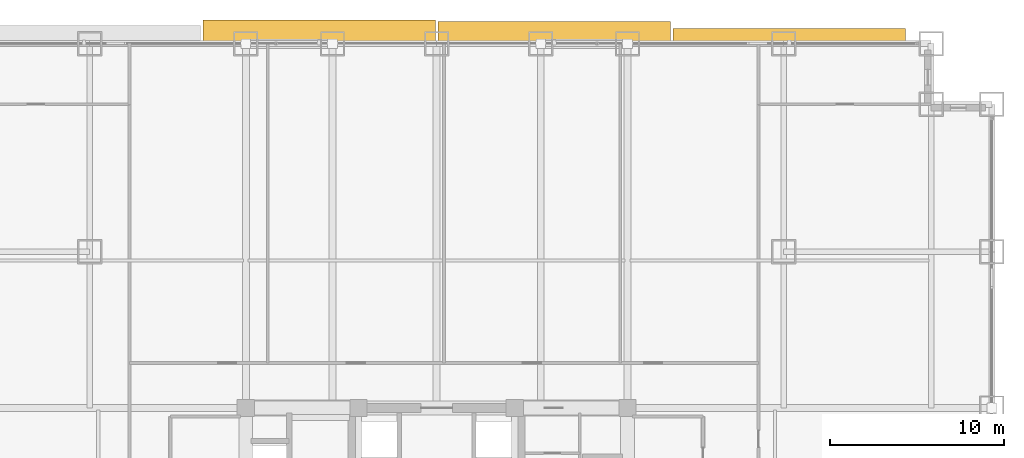
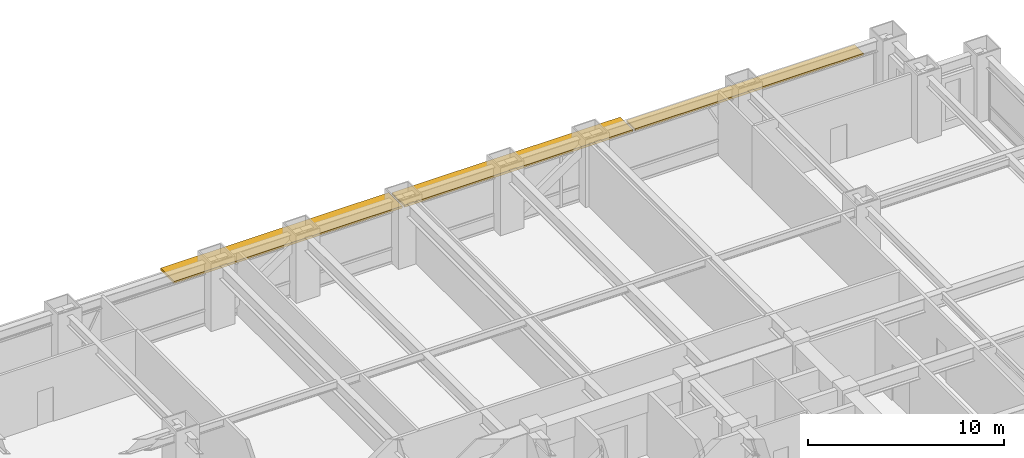
# One storey, part 31 of 31: 3 shading devices.
"""IFC4 building model written with IfcOpenShell, lengths in metres."""

from ifc_helpers import new_model, si_unit, direction, frame, origin, origin_2d, place, context, subcontext, project, spatial, rectangle, extrude, source, transform, mapped, material, layer, layer_set, type_object, element, save


model = new_model("IFC4")

# Units and contexts
model_context = context("Model", 3, precision=1e-05, world=origin(), true_north=direction((0.0, 1.0)))
body_context = subcontext(model_context, "Body", "Model", "MODEL_VIEW")
ifc_project = project(units=[si_unit("LENGTHUNIT", "METRE"), si_unit("AREAUNIT", "SQUARE_METRE"), si_unit("VOLUMEUNIT", "CUBIC_METRE"), si_unit("PLANEANGLEUNIT", "RADIAN"), si_unit("MASSUNIT", "GRAM", prefix="KILO")], contexts=[model_context])

# Site, building, storey
site_placement = place(None, origin())
site = spatial("IfcSite", under=ifc_project, at=site_placement, CompositionType="ELEMENT")
building_placement = place(site_placement, origin())
building = spatial("IfcBuilding", under=site, at=building_placement, Name="Khorayat Bourse Tower", CompositionType="ELEMENT")
storey_placement = place(building_placement, frame((0.0, 0.0, 41.0)))
storey = spatial("IfcBuildingStorey", under=building, at=storey_placement, Name="L08", CompositionType="ELEMENT", Elevation=41.0)

# Shading devices
ifc_material = material(Name="Precast concrete C45/55", Category="concrete")
ifc_layer = layer(ifc_material, 0.139892578125)
ifc_layer_set = layer_set([ifc_layer], Name="Precast concrete C45/55")
shading_device_type = type_object("IfcShadingDeviceType", Name="SHD-WAVE-TRAY-B", PredefinedType="USERDEFINED", material=ifc_layer_set)
shared_shape_1 = source(origin(), body_context, "Body", "SweptSolid", [
    extrude(rectangle(XDim=13.409912109375, YDim=1.380859375, at=origin_2d()), origin(), (0.0, 0.0, 1.0), 0.139892578125),
])
shading_device_1_placement = place(storey_placement, frame((-6.77490234375, 32.67041015625, 3.18994140625), z_axis=(0.0, 0.0, 1.0), x_axis=(1.0, 0.0, 0.0)))
element("IfcShadingDevice", 1, at=shading_device_1_placement, inside=storey, type_object=shading_device_type, Name="L08 Sinusoidal Wave Sunshade Tray N-2", ObjectType="SUNSHADE", PredefinedType="USERDEFINED", context=body_context, shape_type="MappedRepresentation", body=[
    mapped(shared_shape_1, transform((0.0, 0.0, 0.0), scale=1.0)),
])
shared_shape_2 = source(origin(), body_context, "Body", "SweptSolid", [
    extrude(rectangle(XDim=13.409912109375, YDim=1.295166015625, at=origin_2d()), origin(), (0.0, 0.0, 1.0), 0.139892578125),
])
shading_device_2_placement = place(storey_placement, frame((6.77490234375, 32.62744140625, 3.18994140625), z_axis=(0.0, 0.0, 1.0), x_axis=(1.0, 0.0, 0.0)))
element("IfcShadingDevice", 2, at=shading_device_2_placement, inside=storey, type_object=shading_device_type, Name="L08 Sinusoidal Wave Sunshade Tray N-3", ObjectType="SUNSHADE", PredefinedType="USERDEFINED", context=body_context, shape_type="MappedRepresentation", body=[
    mapped(shared_shape_2, transform((0.0, 0.0, 0.0), scale=1.0)),
])
shared_shape_3 = source(origin(), body_context, "Body", "SweptSolid", [
    extrude(rectangle(XDim=13.409912109375, YDim=0.892333984375, at=origin_2d()), origin(), (0.0, 0.0, 1.0), 0.139892578125),
])
shading_device_3_placement = place(storey_placement, frame((20.324951171875, 32.42626953125, 3.18994140625), z_axis=(0.0, 0.0, 1.0), x_axis=(1.0, 0.0, 0.0)))
element("IfcShadingDevice", 3, at=shading_device_3_placement, inside=storey, type_object=shading_device_type, Name="L08 Sinusoidal Wave Sunshade Tray N-4", ObjectType="SUNSHADE", PredefinedType="USERDEFINED", context=body_context, shape_type="MappedRepresentation", body=[
    mapped(shared_shape_3, transform((0.0, 0.0, 0.0), scale=1.0)),
])

save(model, "model.ifc")
